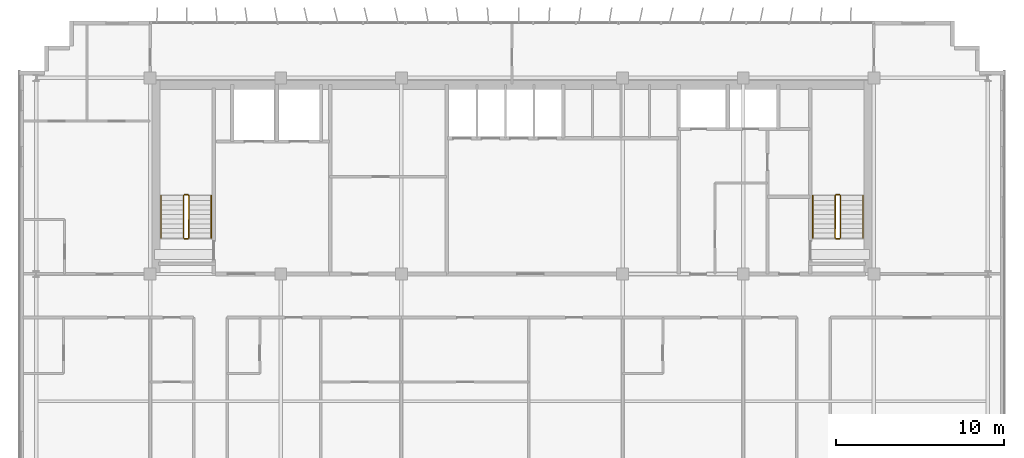
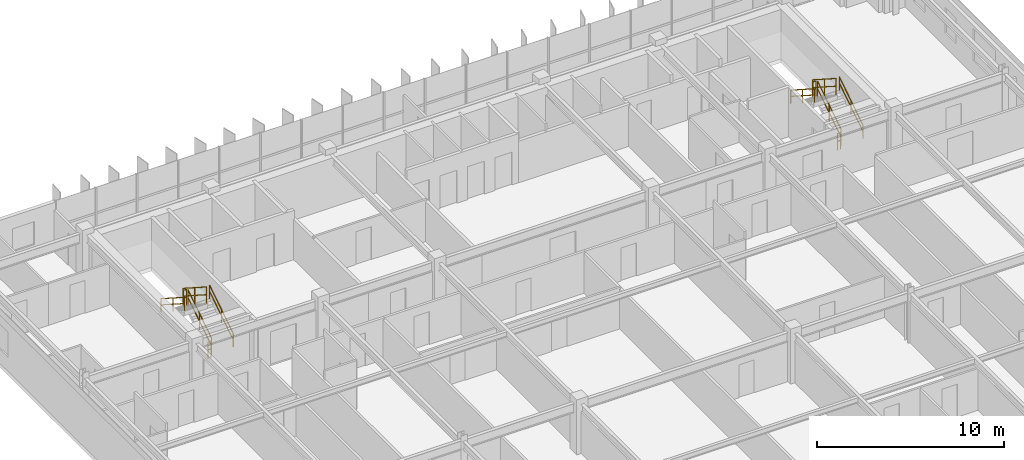
# One storey, part 24 of 24: 12 railings.
"""IFC4 building model written with IfcOpenShell, lengths in metres."""

import ifcopenshell
import ifcopenshell.guid

model = None  # the IFC model being written
_history = None  # IfcOwnerHistory: only IFC2X3 demands one
_inside = {}  # id of a spatial element -> (the spatial element, [elements in it])
_under = {}  # id of a project, library or spatial element -> (it, [spatial elements below it])
_declared = {}  # id of a project -> (the project, [libraries it declares])
_typed = {}  # id of a type object -> (the type object, [elements of that type])
_made_of = {}  # id of a material, layer set ... -> (it, [elements and type objects made of it])


def new_model(schema):
    """Start an empty IFC model of exactly this schema.

    Asked for "IFC4X3", IfcOpenShell would pick the latest addendum, in which some entities
    have other attributes; the version numbers below select the first issue.
    IFC2X3 requires an IfcOwnerHistory on every rooted entity: one is made here for all.
    """
    global model, _history
    if schema == "IFC4X3":
        model = ifcopenshell.file(schema_version=(4, 3, 0, 0))
    else:
        model = ifcopenshell.file(schema=schema)
    _inside.clear()
    _under.clear()
    _declared.clear()
    _typed.clear()
    _made_of.clear()
    _history = None
    if model.schema == "IFC2X3":
        org = make("IfcOrganization", Name="unknown")
        user = make(
            "IfcPersonAndOrganization",
            ThePerson=make("IfcPerson", FamilyName="unknown"),
            TheOrganization=org,
        )
        app = make(
            "IfcApplication",
            ApplicationDeveloper=org,
            Version="unknown",
            ApplicationFullName="unknown",
            ApplicationIdentifier="unknown",
        )
        _history = make(
            "IfcOwnerHistory",
            OwningUser=user,
            OwningApplication=app,
            ChangeAction="ADDED",
            CreationDate=0,
        )
    return model


def make(cls, **values):
    """One entity of the class cls with the attributes given. An attribute that is None is left unset."""
    return model.create_entity(
        cls, **{name: value for name, value in values.items() if value is not None}
    )


def rooted(cls, **values):
    """An entity with a GlobalId (a new one), such as an element, a storey or a relation."""
    return make(cls, GlobalId=ifcopenshell.guid.new(), OwnerHistory=_history, **values)


def si_unit(unit_type, name, prefix=None):
    """IfcSIUnit, for example si_unit("LENGTHUNIT", "METRE", prefix="MILLI")."""
    return make("IfcSIUnit", UnitType=unit_type, Prefix=prefix, Name=name)


def assignment(units):
    """IfcUnitAssignment: the units of a project."""
    return None if units is None else make("IfcUnitAssignment", Units=units)


def point(xyz):
    """IfcCartesianPoint."""
    return None if xyz is None else make("IfcCartesianPoint", Coordinates=xyz)


def direction(xyz):
    """IfcDirection."""
    return None if xyz is None else make("IfcDirection", DirectionRatios=xyz)


def frame(location, z_axis=None, x_axis=None):
    """IfcAxis2Placement3D, a coordinate frame: its origin and axes. An axis left out is left unset."""
    return make(
        "IfcAxis2Placement3D",
        Location=point(location),
        Axis=direction(z_axis),
        RefDirection=direction(x_axis),
    )


def frame_2d(location, x_axis=None):
    """IfcAxis2Placement2D, a coordinate frame in the plane: its origin and x axis."""
    return make(
        "IfcAxis2Placement2D", Location=point(location), RefDirection=direction(x_axis)
    )


def origin():
    """The frame at (0, 0, 0) with its axes left unset."""
    return frame((0.0, 0.0, 0.0))


def origin_2d():
    """The frame at (0, 0) in the plane with its x axis left unset."""
    return frame_2d((0.0, 0.0))


def place(relative_to, where):
    """IfcLocalPlacement: puts the frame where relative to a parent placement (None: the world)."""
    return make(
        "IfcLocalPlacement", PlacementRelTo=relative_to, RelativePlacement=where
    )


def context(
    kind, dimensions, precision=None, world=None, true_north=None, identifier=None
):
    """IfcGeometricRepresentationContext, for example the 3D "Model" context."""
    return make(
        "IfcGeometricRepresentationContext",
        ContextIdentifier=identifier,
        ContextType=kind,
        CoordinateSpaceDimension=dimensions,
        Precision=precision,
        WorldCoordinateSystem=world,
        TrueNorth=true_north,
    )


def subcontext(parent, identifier, kind, view, scale=None):
    """IfcGeometricRepresentationSubContext, for example "Body" below "Model"."""
    return make(
        "IfcGeometricRepresentationSubContext",
        ContextIdentifier=identifier,
        ContextType=kind,
        ParentContext=parent,
        TargetScale=scale,
        TargetView=view,
    )


def project(units=None, contexts=None):
    """IfcProject with its units and contexts."""
    return rooted(
        "IfcProject",
        Name="project",
        RepresentationContexts=contexts,
        UnitsInContext=assignment(units),
    )


def spatial(cls, under=None, at=None, **own):
    """A site, building, storey or space (cls), placed at a placement, below another one or the project."""
    s = rooted(cls, ObjectPlacement=at, **own)
    if under is not None:
        _under.setdefault(under.id(), (under, []))[1].append(s)
    return s


def profile(cls, at=None, kind="AREA", **sizes):
    """A parametric profile (cls). Its sizes go by their IFC names, for example OverallWidth=200.0."""
    return make(cls, ProfileType=kind, Position=at, **sizes)


def rectangle(**sizes):
    """IfcRectangleProfileDef."""
    return profile("IfcRectangleProfileDef", **sizes)


def extrude(swept, where, along, depth):
    """IfcExtrudedAreaSolid: the profile swept, set in the frame where, extruded along a direction by depth."""
    return make(
        "IfcExtrudedAreaSolid",
        SweptArea=swept,
        Position=where,
        ExtrudedDirection=direction(along),
        Depth=depth,
    )


def shape(context_of_items, identifier, shape_type, items):
    """IfcShapeRepresentation: the items that make up one representation, for example the "Body"."""
    return make(
        "IfcShapeRepresentation",
        ContextOfItems=context_of_items,
        RepresentationIdentifier=identifier,
        RepresentationType=shape_type,
        Items=items,
    )


def material(Name=None, Category=None):
    """IfcMaterial."""
    return make("IfcMaterial", Name=Name, Category=Category)


def made_of(thing, what):
    """Note that an element or type object is made of a material, layer set ...; save() writes the relation."""
    if what is not None:
        _made_of.setdefault(what.id(), (what, []))[1].append(thing)
    return thing


def type_object(cls, material=None, **own):
    """A type object (cls), such as IfcWallType, which elements share."""
    return made_of(rooted(cls, **own), material)


def element(
    cls,
    number,
    at=None,
    inside=None,
    cuts=None,
    type_object=None,
    material=None,
    context=None,
    identifier="Body",
    shape_type=None,
    held_by="IfcProductDefinitionShape",
    body=None,
    shapes=None,
    **own,
):
    """One element of the class cls, such as IfcWall. Its Tag is "e" and its number.

    at: its placement. inside: the storey or other place that contains it. cuts: it is an
    opening in that element (IfcRelVoidsElement). A single representation is given by context,
    identifier, shape_type and body (its items); several are given by shapes. held_by: the class
    of the entity that holds the representations. save() writes the other relations.
    """
    e = rooted(cls, Tag="e%d" % number, ObjectPlacement=at, **own)
    if body is not None:
        shapes = [shape(context, identifier, shape_type, body)]
    if shapes is not None:
        e.Representation = make(held_by, Representations=shapes)
    if inside is not None:
        _inside.setdefault(inside.id(), (inside, []))[1].append(e)
    if cuts is not None:
        rooted(
            "IfcRelVoidsElement", RelatingBuildingElement=cuts, RelatedOpeningElement=e
        )
    if type_object is not None:
        _typed.setdefault(type_object.id(), (type_object, []))[1].append(e)
    return made_of(e, material)


def aggregate(whole, parts):
    """IfcRelAggregates: a whole, such as a stair, and the parts it consists of."""
    return rooted("IfcRelAggregates", RelatingObject=whole, RelatedObjects=parts)


def save(model, path):
    """Write the relations noted so far, then the file.

    IfcRelAggregates (storeys below a building ...), IfcRelContainedInSpatialStructure (elements
    in a storey), IfcRelDefinesByType, IfcRelAssociatesMaterial and IfcRelDeclares: one each for
    every whole, place, type object, material and project.
    """
    for whole, parts in _under.values():
        aggregate(whole, parts)
    for where, things in _inside.values():
        rooted(
            "IfcRelContainedInSpatialStructure",
            RelatedElements=things,
            RelatingStructure=where,
        )
    for kind, things in _typed.values():
        rooted("IfcRelDefinesByType", RelatedObjects=things, RelatingType=kind)
    for what, things in _made_of.values():
        rooted("IfcRelAssociatesMaterial", RelatedObjects=things, RelatingMaterial=what)
    for by, libraries in _declared.values():
        rooted("IfcRelDeclares", RelatingContext=by, RelatedDefinitions=libraries)
    model.write(path)


model = new_model("IFC4")

# Units and contexts
model_context = context("Model", 3, precision=1e-05, world=origin(), true_north=direction((0.0, 1.0)))
body_context = subcontext(model_context, "Body", "Model", "MODEL_VIEW")
ifc_project = project(units=[si_unit("LENGTHUNIT", "METRE"), si_unit("AREAUNIT", "SQUARE_METRE"), si_unit("VOLUMEUNIT", "CUBIC_METRE"), si_unit("PLANEANGLEUNIT", "RADIAN"), si_unit("MASSUNIT", "GRAM", prefix="KILO")], contexts=[model_context])

# Site, building, storey
site_placement = place(None, origin())
site = spatial("IfcSite", under=ifc_project, at=site_placement, CompositionType="ELEMENT")
building_placement = place(site_placement, origin())
building = spatial("IfcBuilding", under=site, at=building_placement, Name="Trelvane Seafront Commons", CompositionType="ELEMENT")
storey_placement = place(building_placement, frame((0.0, 0.0, 178.89990234375)))
storey = spatial("IfcBuildingStorey", under=building, at=storey_placement, Name="L47", CompositionType="ELEMENT", Elevation=178.89990234375)

# Railings
ifc_material = material(Name="Stainless steel balustrade", Category="steel")
railing_type_1 = type_object("IfcRailingType", Name="ARCH-SRL-GUARD", PredefinedType="GUARDRAIL", material=ifc_material)
railing_1_placement = place(storey_placement, frame((17.89990234375, 35.550048828125, 0.18017578125)))
element("IfcRailing", 1, at=railing_1_placement, inside=storey, type_object=railing_type_1, Name="L47 ST-1 stair guard 1", PredefinedType="GUARDRAIL", context=body_context, shape_type="SweptSolid", body=[
    extrude(rectangle(XDim=0.048095703125, YDim=0.048095703125, at=origin_2d()), frame((0.0, 0.0, 1.076171875), z_axis=(0.0, 0.841199657755, 0.540724639528), x_axis=(-1.0, 0.0, 0.0)), (0.0, 0.0, 1.0), 2.995849609375),
    extrude(rectangle(XDim=0.048095703125, YDim=0.048095703125, at=origin_2d()), frame((0.0, 0.0, 0.572021484375), z_axis=(0.0, 0.841199657755, 0.540724639528), x_axis=(-1.0, 0.0, 0.0)), (0.0, 0.0, 1.0), 2.995849609375),
    extrude(rectangle(XDim=0.0419921875, YDim=0.0419921875, at=origin_2d()), origin(), (0.0, 0.0, 1.0), 1.076171875),
    extrude(rectangle(XDim=0.0419921875, YDim=0.0419921875, at=origin_2d()), frame((0.0, 1.260009765625, 0.81005859375)), (0.0, 0.0, 1.0), 1.076171875),
    extrude(rectangle(XDim=0.0419921875, YDim=0.0419921875, at=origin_2d()), frame((0.0, 2.52001953125, 1.619873046875)), (0.0, 0.0, 1.0), 1.076171875),
])
railing_2_placement = place(storey_placement, frame((17.85009765625, 38.1201171875, 1.800048828125)))
element("IfcRailing", 2, at=railing_2_placement, inside=storey, type_object=railing_type_1, Name="L47 ST-1 stair guard 2", PredefinedType="GUARDRAIL", context=body_context, shape_type="SweptSolid", body=[
    extrude(rectangle(XDim=0.048095703125, YDim=0.048095703125, at=origin_2d()), frame((0.0, 0.0, 1.076171875), z_axis=(-1.0, 0.0, 0.0), x_axis=(0.0, -1.0, 0.0)), (0.0, 0.0, 1.0), 0.2001953125),
    extrude(rectangle(XDim=0.048095703125, YDim=0.048095703125, at=origin_2d()), frame((0.0, 0.0, 0.572021484375), z_axis=(-1.0, 0.0, 0.0), x_axis=(0.0, -1.0, 0.0)), (0.0, 0.0, 1.0), 0.2001953125),
    extrude(rectangle(XDim=0.0419921875, YDim=0.0419921875, at=origin_2d()), origin(), (0.0, 0.0, 1.0), 1.076171875),
    extrude(rectangle(XDim=0.0419921875, YDim=0.0419921875, at=origin_2d()), frame((-0.2001953125, 0.0, 0.0)), (0.0, 0.0, 1.0), 1.076171875),
])
railing_3_placement = place(storey_placement, frame((17.60009765625, 38.070068359375, 1.97998046875)))
element("IfcRailing", 3, at=railing_3_placement, inside=storey, type_object=railing_type_1, Name="L47 ST-1 stair guard 3", PredefinedType="GUARDRAIL", context=body_context, shape_type="SweptSolid", body=[
    extrude(rectangle(XDim=0.048095703125, YDim=0.048095703125, at=origin_2d()), frame((0.0, 0.0, 1.076171875), z_axis=(0.0, -0.841162588446, 0.540782303519), x_axis=(1.0, 0.0, 0.0)), (0.0, 0.0, 1.0), 2.995849609375),
    extrude(rectangle(XDim=0.048095703125, YDim=0.048095703125, at=origin_2d()), frame((0.0, 0.0, 0.572021484375), z_axis=(0.0, -0.841162588446, 0.540782303519), x_axis=(1.0, 0.0, 0.0)), (0.0, 0.0, 1.0), 2.995849609375),
    extrude(rectangle(XDim=0.0419921875, YDim=0.0419921875, at=origin_2d()), origin(), (0.0, 0.0, 1.0), 1.076171875),
    extrude(rectangle(XDim=0.0419921875, YDim=0.0419921875, at=origin_2d()), frame((0.0, -1.260009765625, 0.81005859375)), (0.0, 0.0, 1.0), 1.076171875),
    extrude(rectangle(XDim=0.0419921875, YDim=0.0419921875, at=origin_2d()), frame((0.0, -2.52001953125, 1.6201171875)), (0.0, 0.0, 1.0), 1.076171875),
])
railing_4_placement = place(storey_placement, frame((17.85009765625, 35.5, 0.0)))
element("IfcRailing", 4, at=railing_4_placement, inside=storey, type_object=railing_type_1, Name="L47 ST-1 stair guard 4", PredefinedType="GUARDRAIL", context=body_context, shape_type="SweptSolid", body=[
    extrude(rectangle(XDim=0.048095703125, YDim=0.048095703125, at=origin_2d()), frame((0.0, 0.0, 1.076171875), z_axis=(-1.0, 0.0, 0.0), x_axis=(0.0, -1.0, 0.0)), (0.0, 0.0, 1.0), 0.2001953125),
    extrude(rectangle(XDim=0.048095703125, YDim=0.048095703125, at=origin_2d()), frame((0.0, 0.0, 0.572021484375), z_axis=(-1.0, 0.0, 0.0), x_axis=(0.0, -1.0, 0.0)), (0.0, 0.0, 1.0), 0.2001953125),
    extrude(rectangle(XDim=0.0419921875, YDim=0.0419921875, at=origin_2d()), origin(), (0.0, 0.0, 1.0), 1.076171875),
    extrude(rectangle(XDim=0.0419921875, YDim=0.0419921875, at=origin_2d()), frame((-0.2001953125, 0.0, 0.0)), (0.0, 0.0, 1.0), 1.076171875),
])
railing_5_placement = place(storey_placement, frame((56.800048828125, 35.550048828125, 0.18017578125)))
element("IfcRailing", 5, at=railing_5_placement, inside=storey, type_object=railing_type_1, Name="L47 ST-2 stair guard 1", PredefinedType="GUARDRAIL", context=body_context, shape_type="SweptSolid", body=[
    extrude(rectangle(XDim=0.048095703125, YDim=0.048095703125, at=origin_2d()), frame((0.0, 0.0, 1.076171875), z_axis=(0.0, 0.841199657755, 0.540724639528), x_axis=(-1.0, 0.0, 0.0)), (0.0, 0.0, 1.0), 2.995849609375),
    extrude(rectangle(XDim=0.048095703125, YDim=0.048095703125, at=origin_2d()), frame((0.0, 0.0, 0.572021484375), z_axis=(0.0, 0.841199657755, 0.540724639528), x_axis=(-1.0, 0.0, 0.0)), (0.0, 0.0, 1.0), 2.995849609375),
    extrude(rectangle(XDim=0.0419921875, YDim=0.0419921875, at=origin_2d()), origin(), (0.0, 0.0, 1.0), 1.076171875),
    extrude(rectangle(XDim=0.0419921875, YDim=0.0419921875, at=origin_2d()), frame((0.0, 1.260009765625, 0.81005859375)), (0.0, 0.0, 1.0), 1.076171875),
    extrude(rectangle(XDim=0.0419921875, YDim=0.0419921875, at=origin_2d()), frame((0.0, 2.52001953125, 1.619873046875)), (0.0, 0.0, 1.0), 1.076171875),
])
railing_6_placement = place(storey_placement, frame((56.75, 38.1201171875, 1.800048828125)))
element("IfcRailing", 6, at=railing_6_placement, inside=storey, type_object=railing_type_1, Name="L47 ST-2 stair guard 2", PredefinedType="GUARDRAIL", context=body_context, shape_type="SweptSolid", body=[
    extrude(rectangle(XDim=0.048095703125, YDim=0.048095703125, at=origin_2d()), frame((0.0, 0.0, 1.076171875), z_axis=(-1.0, 0.0, 0.0), x_axis=(0.0, -1.0, 0.0)), (0.0, 0.0, 1.0), 0.199951171875),
    extrude(rectangle(XDim=0.048095703125, YDim=0.048095703125, at=origin_2d()), frame((0.0, 0.0, 0.572021484375), z_axis=(-1.0, 0.0, 0.0), x_axis=(0.0, -1.0, 0.0)), (0.0, 0.0, 1.0), 0.199951171875),
    extrude(rectangle(XDim=0.0419921875, YDim=0.0419921875, at=origin_2d()), origin(), (0.0, 0.0, 1.0), 1.076171875),
    extrude(rectangle(XDim=0.0419921875, YDim=0.0419921875, at=origin_2d()), frame((-0.199951171875, 0.0, 0.0)), (0.0, 0.0, 1.0), 1.076171875),
])
railing_7_placement = place(storey_placement, frame((56.5, 38.070068359375, 1.97998046875)))
element("IfcRailing", 7, at=railing_7_placement, inside=storey, type_object=railing_type_1, Name="L47 ST-2 stair guard 3", PredefinedType="GUARDRAIL", context=body_context, shape_type="SweptSolid", body=[
    extrude(rectangle(XDim=0.048095703125, YDim=0.048095703125, at=origin_2d()), frame((0.0, 0.0, 1.076171875), z_axis=(0.0, -0.841162588446, 0.540782303519), x_axis=(1.0, 0.0, 0.0)), (0.0, 0.0, 1.0), 2.995849609375),
    extrude(rectangle(XDim=0.048095703125, YDim=0.048095703125, at=origin_2d()), frame((0.0, 0.0, 0.572021484375), z_axis=(0.0, -0.841162588446, 0.540782303519), x_axis=(1.0, 0.0, 0.0)), (0.0, 0.0, 1.0), 2.995849609375),
    extrude(rectangle(XDim=0.0419921875, YDim=0.0419921875, at=origin_2d()), origin(), (0.0, 0.0, 1.0), 1.076171875),
    extrude(rectangle(XDim=0.0419921875, YDim=0.0419921875, at=origin_2d()), frame((0.0, -1.260009765625, 0.81005859375)), (0.0, 0.0, 1.0), 1.076171875),
    extrude(rectangle(XDim=0.0419921875, YDim=0.0419921875, at=origin_2d()), frame((0.0, -2.52001953125, 1.6201171875)), (0.0, 0.0, 1.0), 1.076171875),
])
railing_8_placement = place(storey_placement, frame((56.75, 35.5, 0.0)))
element("IfcRailing", 8, at=railing_8_placement, inside=storey, type_object=railing_type_1, Name="L47 ST-2 stair guard 4", PredefinedType="GUARDRAIL", context=body_context, shape_type="SweptSolid", body=[
    extrude(rectangle(XDim=0.048095703125, YDim=0.048095703125, at=origin_2d()), frame((0.0, 0.0, 1.076171875), z_axis=(-1.0, 0.0, 0.0), x_axis=(0.0, -1.0, 0.0)), (0.0, 0.0, 1.0), 0.199951171875),
    extrude(rectangle(XDim=0.048095703125, YDim=0.048095703125, at=origin_2d()), frame((0.0, 0.0, 0.572021484375), z_axis=(-1.0, 0.0, 0.0), x_axis=(0.0, -1.0, 0.0)), (0.0, 0.0, 1.0), 0.199951171875),
    extrude(rectangle(XDim=0.0419921875, YDim=0.0419921875, at=origin_2d()), origin(), (0.0, 0.0, 1.0), 1.076171875),
    extrude(rectangle(XDim=0.0419921875, YDim=0.0419921875, at=origin_2d()), frame((-0.199951171875, 0.0, 0.0)), (0.0, 0.0, 1.0), 1.076171875),
])
railing_type_2 = type_object("IfcRailingType", Name="ARCH-SRL-HAND", PredefinedType="HANDRAIL", material=ifc_material)
railing_9_placement = place(storey_placement, frame((19.25, 35.550048828125, 0.18017578125)))
element("IfcRailing", 9, at=railing_9_placement, inside=storey, type_object=railing_type_2, Name="L47 ST-1 stair handrail 1", PredefinedType="HANDRAIL", context=body_context, shape_type="SweptSolid", body=[
    extrude(rectangle(XDim=0.048095703125, YDim=0.048095703125, at=origin_2d()), frame((0.0, 0.0, 0.8759765625), z_axis=(0.0, 0.841199657755, 0.540724639528), x_axis=(-1.0, 0.0, 0.0)), (0.0, 0.0, 1.0), 2.995849609375),
    extrude(rectangle(XDim=0.048095703125, YDim=0.048095703125, at=origin_2d()), frame((0.0, 0.0, 0.468017578125), z_axis=(0.0, 0.841199657755, 0.540724639528), x_axis=(-1.0, 0.0, 0.0)), (0.0, 0.0, 1.0), 2.995849609375),
    extrude(rectangle(XDim=0.0419921875, YDim=0.0419921875, at=origin_2d()), origin(), (0.0, 0.0, 1.0), 0.8759765625),
    extrude(rectangle(XDim=0.0419921875, YDim=0.0419921875, at=origin_2d()), frame((0.0, 1.260009765625, 0.81005859375)), (0.0, 0.0, 1.0), 0.8759765625),
    extrude(rectangle(XDim=0.0419921875, YDim=0.0419921875, at=origin_2d()), frame((0.0, 2.52001953125, 1.619873046875)), (0.0, 0.0, 1.0), 0.8759765625),
])
railing_10_placement = place(storey_placement, frame((16.25, 38.070068359375, 1.97998046875)))
element("IfcRailing", 10, at=railing_10_placement, inside=storey, type_object=railing_type_2, Name="L47 ST-1 stair handrail 2", PredefinedType="HANDRAIL", context=body_context, shape_type="SweptSolid", body=[
    extrude(rectangle(XDim=0.048095703125, YDim=0.048095703125, at=origin_2d()), frame((0.0, 0.0, 0.8759765625), z_axis=(0.0, -0.841162588446, 0.540782303519), x_axis=(1.0, 0.0, 0.0)), (0.0, 0.0, 1.0), 2.995849609375),
    extrude(rectangle(XDim=0.048095703125, YDim=0.048095703125, at=origin_2d()), frame((0.0, 0.0, 0.468017578125), z_axis=(0.0, -0.841162588446, 0.540782303519), x_axis=(1.0, 0.0, 0.0)), (0.0, 0.0, 1.0), 2.995849609375),
    extrude(rectangle(XDim=0.0419921875, YDim=0.0419921875, at=origin_2d()), origin(), (0.0, 0.0, 1.0), 0.8759765625),
    extrude(rectangle(XDim=0.0419921875, YDim=0.0419921875, at=origin_2d()), frame((0.0, -1.260009765625, 0.81005859375)), (0.0, 0.0, 1.0), 0.8759765625),
    extrude(rectangle(XDim=0.0419921875, YDim=0.0419921875, at=origin_2d()), frame((0.0, -2.52001953125, 1.6201171875)), (0.0, 0.0, 1.0), 0.8759765625),
])
railing_11_placement = place(storey_placement, frame((58.14990234375, 35.550048828125, 0.18017578125)))
element("IfcRailing", 11, at=railing_11_placement, inside=storey, type_object=railing_type_2, Name="L47 ST-2 stair handrail 1", PredefinedType="HANDRAIL", context=body_context, shape_type="SweptSolid", body=[
    extrude(rectangle(XDim=0.048095703125, YDim=0.048095703125, at=origin_2d()), frame((0.0, 0.0, 0.8759765625), z_axis=(0.0, 0.841199657755, 0.540724639528), x_axis=(-1.0, 0.0, 0.0)), (0.0, 0.0, 1.0), 2.995849609375),
    extrude(rectangle(XDim=0.048095703125, YDim=0.048095703125, at=origin_2d()), frame((0.0, 0.0, 0.468017578125), z_axis=(0.0, 0.841199657755, 0.540724639528), x_axis=(-1.0, 0.0, 0.0)), (0.0, 0.0, 1.0), 2.995849609375),
    extrude(rectangle(XDim=0.0419921875, YDim=0.0419921875, at=origin_2d()), origin(), (0.0, 0.0, 1.0), 0.8759765625),
    extrude(rectangle(XDim=0.0419921875, YDim=0.0419921875, at=origin_2d()), frame((0.0, 1.260009765625, 0.81005859375)), (0.0, 0.0, 1.0), 0.8759765625),
    extrude(rectangle(XDim=0.0419921875, YDim=0.0419921875, at=origin_2d()), frame((0.0, 2.52001953125, 1.619873046875)), (0.0, 0.0, 1.0), 0.8759765625),
])
railing_12_placement = place(storey_placement, frame((55.14990234375, 38.070068359375, 1.97998046875)))
element("IfcRailing", 12, at=railing_12_placement, inside=storey, type_object=railing_type_2, Name="L47 ST-2 stair handrail 2", PredefinedType="HANDRAIL", context=body_context, shape_type="SweptSolid", body=[
    extrude(rectangle(XDim=0.048095703125, YDim=0.048095703125, at=origin_2d()), frame((0.0, 0.0, 0.8759765625), z_axis=(0.0, -0.841162588446, 0.540782303519), x_axis=(1.0, 0.0, 0.0)), (0.0, 0.0, 1.0), 2.995849609375),
    extrude(rectangle(XDim=0.048095703125, YDim=0.048095703125, at=origin_2d()), frame((0.0, 0.0, 0.468017578125), z_axis=(0.0, -0.841162588446, 0.540782303519), x_axis=(1.0, 0.0, 0.0)), (0.0, 0.0, 1.0), 2.995849609375),
    extrude(rectangle(XDim=0.0419921875, YDim=0.0419921875, at=origin_2d()), origin(), (0.0, 0.0, 1.0), 0.8759765625),
    extrude(rectangle(XDim=0.0419921875, YDim=0.0419921875, at=origin_2d()), frame((0.0, -1.260009765625, 0.81005859375)), (0.0, 0.0, 1.0), 0.8759765625),
    extrude(rectangle(XDim=0.0419921875, YDim=0.0419921875, at=origin_2d()), frame((0.0, -2.52001953125, 1.6201171875)), (0.0, 0.0, 1.0), 0.8759765625),
])

save(model, "model.ifc")
